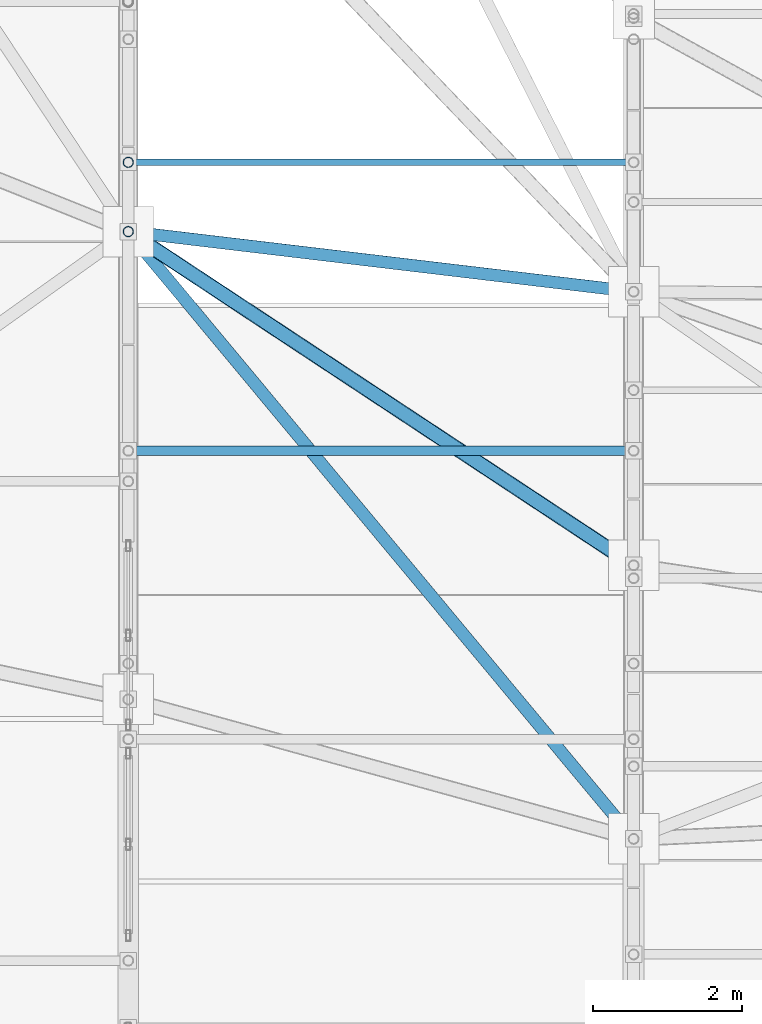
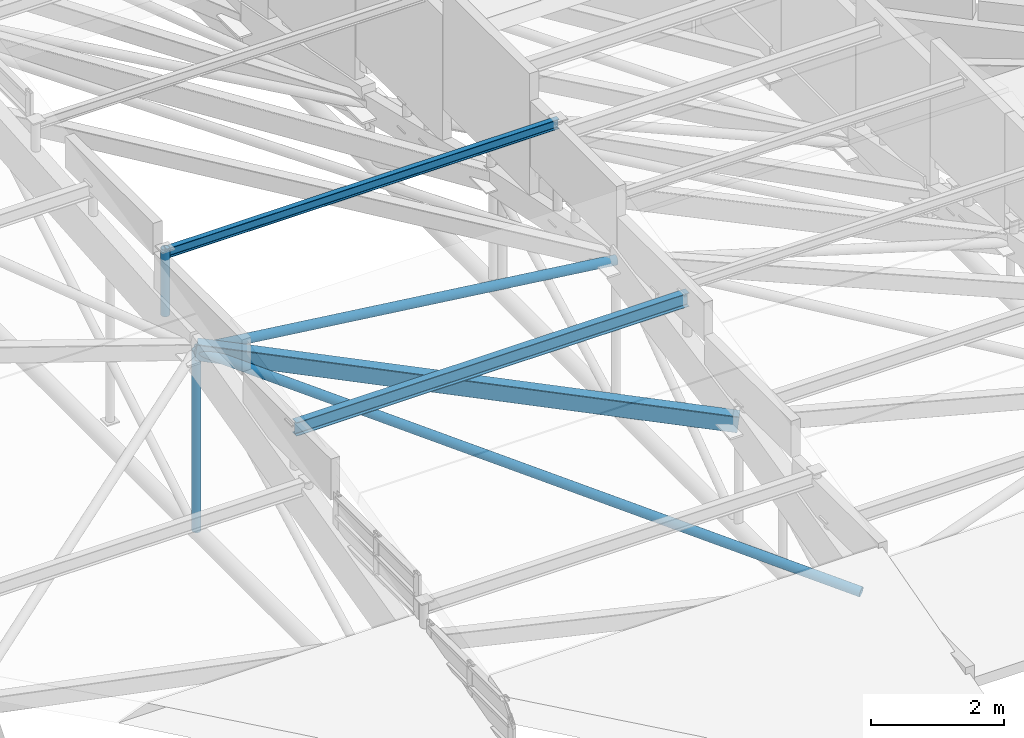
# One storey, part 10 of 188: 7 members.
"""IFC4 building model written with IfcOpenShell, lengths in metres."""

from ifc_helpers import new_model, si_unit, direction, frame, origin, origin_2d, place, context, subcontext, project, spatial, hollow_rectangle, hollow_circle, i_section, extrude, material, material_profile, profile_set, type_object, element, save


model = new_model("IFC4")

# Units and contexts
model_context = context("Model", 3, precision=1e-05, world=origin(), true_north=direction((0.0, 1.0)))
body_context = subcontext(model_context, "Body", "Model", "MODEL_VIEW")
ifc_project = project(units=[si_unit("LENGTHUNIT", "METRE"), si_unit("AREAUNIT", "SQUARE_METRE"), si_unit("VOLUMEUNIT", "CUBIC_METRE"), si_unit("PLANEANGLEUNIT", "RADIAN"), si_unit("MASSUNIT", "GRAM", prefix="KILO")], contexts=[model_context])

# Site, building, storey
site_placement = place(None, origin())
site = spatial("IfcSite", under=ifc_project, at=site_placement, CompositionType="ELEMENT")
building_placement = place(site_placement, origin())
building = spatial("IfcBuilding", under=site, at=building_placement, Name="Kisaragi Civic Commons", CompositionType="ELEMENT")
storey_placement = place(building_placement, frame((0.0, 0.0, 9.60009765625)))
storey = spatial("IfcBuildingStorey", under=building, at=storey_placement, Name="L02", CompositionType="ELEMENT", Elevation=9.60009765625)

# Members
ifc_material_1 = material(Name="Steel SN400 (SN400B)", Category="steel")
ifc_material_profile_1 = material_profile(ifc_material_1, hollow_circle(Radius=0.08251953125, WallThickness=0.006103515625, at=origin_2d()), Name="CHS-165.2x6.0", Category="steel")
ifc_profile_set_1 = profile_set([ifc_material_profile_1], Name="Steel SN400 (SN400B)")
member_type_1 = type_object("IfcMemberType", Name="BR-02", PredefinedType="BRACE", material=ifc_profile_set_1)
member_1_placement = place(storey_placement, frame((27.199951171875, 14.21142578125, 2.856201171875), z_axis=(0.629981563332, -0.757027355212, -0.173299778776), x_axis=(0.768657823269, 0.639660183791, 0.0)))
element("IfcMember", 1, at=member_1_placement, inside=storey, type_object=member_type_1, Name="V1 diagonal gridshell steel brace 25", PredefinedType="BRACE", context=body_context, shape_type="SweptSolid", body=[
    extrude(hollow_circle(Radius=0.08251953125, WallThickness=0.006103515625, at=origin_2d()), origin(), (0.0, 0.0, 1.0), 10.7939453125),
])
member_2_placement = place(storey_placement, frame((27.199951171875, 14.21142578125, 2.856201171875), z_axis=(0.99233340018, -0.117927101375, -0.036981368951), x_axis=(0.118007824011, 0.993012665313, 0.0)))
element("IfcMember", 2, at=member_2_placement, inside=storey, type_object=member_type_1, Name="V1 diagonal gridshell steel brace 26", PredefinedType="BRACE", context=body_context, shape_type="SweptSolid", body=[
    extrude(hollow_circle(Radius=0.08251953125, WallThickness=0.006103515625, at=origin_2d()), origin(), (0.0, 0.0, 1.0), 6.8525390625),
])
ifc_material_2 = material(Name="Steel SN490 (SN490B)", Category="steel")
ifc_material_profile_2 = material_profile(ifc_material_2, hollow_rectangle(XDim=0.199951171875, YDim=0.300048828125, WallThickness=0.009033203125, InnerFilletRadius=0.009033203125, OuterFilletRadius=0.01806640625, at=origin_2d()), Name="STKR-300x200x9", Category="steel")
ifc_profile_set_2 = profile_set([ifc_material_profile_2], Name="Steel SN490 (SN490B)")
member_type_2 = type_object("IfcMemberType", Name="GC-02", PredefinedType="CHORD", material=ifc_profile_set_2)
member_3_placement = place(storey_placement, frame((27.199951171875, 14.21142578125, 2.856201171875), z_axis=(0.828495175581, -0.547015627721, -0.119873462736), x_axis=(0.550988708954, 0.834512697689, 0.0)))
element("IfcMember", 3, at=member_3_placement, inside=storey, type_object=member_type_2, Name="V1 wave gridshell chord GC-02 30", PredefinedType="CHORD", context=body_context, shape_type="SweptSolid", body=[
    extrude(hollow_rectangle(XDim=0.199951171875, YDim=0.300048828125, WallThickness=0.009033203125, InnerFilletRadius=0.009033203125, OuterFilletRadius=0.01806640625, at=origin_2d()), origin(), (0.0, 0.0, 1.0), 8.207763671875),
])
ifc_material_profile_3 = material_profile(ifc_material_1, i_section(OverallWidth=0.125, OverallDepth=0.25, WebThickness=0.006103515625, FlangeThickness=0.009033203125, FilletRadius=0.008056640625, at=origin_2d()), Name="H-250x125x6x9", Category="steel")
ifc_profile_set_3 = profile_set([ifc_material_profile_3], Name="Steel SN400 (SN400B)")
member_type_3 = type_object("IfcMemberType", Name="PR-01", PredefinedType="PURLIN", material=ifc_profile_set_3)
member_4_placement = place(storey_placement, frame((27.199951171875, 11.262451171875, 3.209716796875), z_axis=(1.0, 0.0, 0.0), x_axis=(0.0, 1.0, 0.0)))
element("IfcMember", 4, at=member_4_placement, inside=storey, type_object=member_type_3, Name="V1 wave vault steel purlin 35", PredefinedType="PURLIN", context=body_context, shape_type="SweptSolid", body=[
    extrude(i_section(OverallWidth=0.125, OverallDepth=0.25, WebThickness=0.006103515625, FlangeThickness=0.009033203125, FilletRadius=0.008056640625, at=origin_2d()), origin(), (0.0, 0.0, 1.0), 6.800048828125),
])
ifc_material_profile_4 = material_profile(ifc_material_1, i_section(OverallWidth=0.090087890625, OverallDepth=0.175048828125, WebThickness=0.0048828125, FlangeThickness=0.008056640625, FilletRadius=0.008056640625, at=origin_2d()), Name="H-175x90x5x8", Category="steel")
ifc_profile_set_4 = profile_set([ifc_material_profile_4], Name="Steel SN400 (SN400B)")
member_type_4 = type_object("IfcMemberType", Name="PR-03", PredefinedType="PURLIN", material=ifc_profile_set_4)
member_5_placement = place(storey_placement, frame((27.199951171875, 15.14404296875, 4.061279296875), z_axis=(1.0, 0.0, 0.0), x_axis=(0.0, 1.0, 0.0)))
element("IfcMember", 5, at=member_5_placement, inside=storey, type_object=member_type_4, Name="V1 wave vault steel purlin 36", PredefinedType="PURLIN", context=body_context, shape_type="SweptSolid", body=[
    extrude(i_section(OverallWidth=0.090087890625, OverallDepth=0.175048828125, WebThickness=0.0048828125, FlangeThickness=0.008056640625, FilletRadius=0.008056640625, at=origin_2d()), origin(), (0.0, 0.0, 1.0), 6.800048828125),
])
ifc_material_profile_5 = material_profile(ifc_material_2, hollow_circle(Radius=0.06982421875, WallThickness=0.006103515625, at=origin_2d()), Name="CHS-139.8x6.0", Category="steel")
ifc_profile_set_5 = profile_set([ifc_material_profile_5], Name="Steel SN490 (SN490B)")
member_type_5 = type_object("IfcMemberType", Name="ST-H1", PredefinedType="STRUT", material=ifc_profile_set_5)
member_6_placement = place(storey_placement, frame((27.199951171875, 14.21142578125, -0.458984375), z_axis=(0.0, 0.0, 1.0), x_axis=(1.0, 0.0, 0.0)))
element("IfcMember", 6, at=member_6_placement, inside=storey, type_object=member_type_5, Name="V1 arch tie hanger strut 57", PredefinedType="STRUT", context=body_context, shape_type="SweptSolid", body=[
    extrude(hollow_circle(Radius=0.06982421875, WallThickness=0.006103515625, at=origin_2d()), origin(), (0.0, 0.0, 1.0), 3.315185546875),
])
member_7_placement = place(storey_placement, frame((27.199951171875, 15.14404296875, 2.9296875), z_axis=(0.0, 0.0, 1.0), x_axis=(1.0, 0.0, 0.0)))
element("IfcMember", 7, at=member_7_placement, inside=storey, type_object=member_type_5, Name="V1 clerestory monitor horizontal tie strut 5.4.4", PredefinedType="STRUT", context=body_context, shape_type="SweptSolid", body=[
    extrude(hollow_circle(Radius=0.06982421875, WallThickness=0.006103515625, at=origin_2d()), origin(), (0.0, 0.0, 1.0), 1.218994140625),
])

save(model, "model.ifc")
